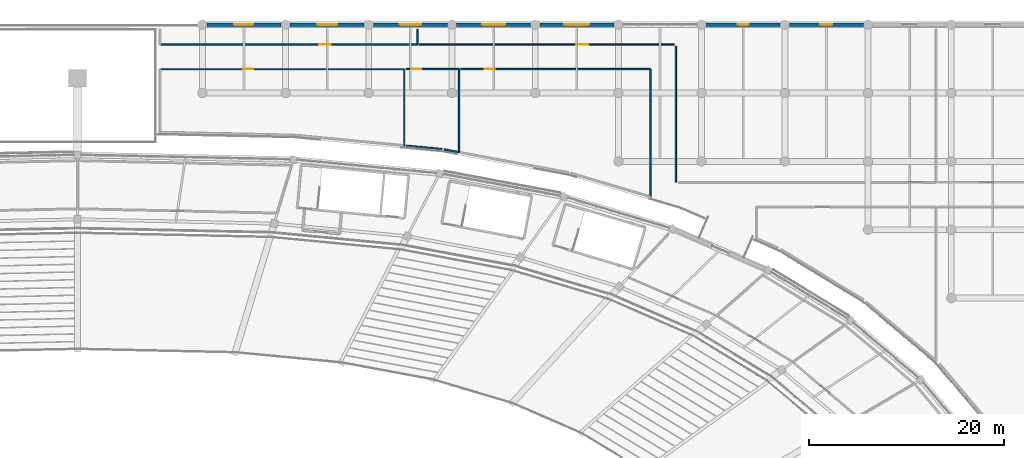
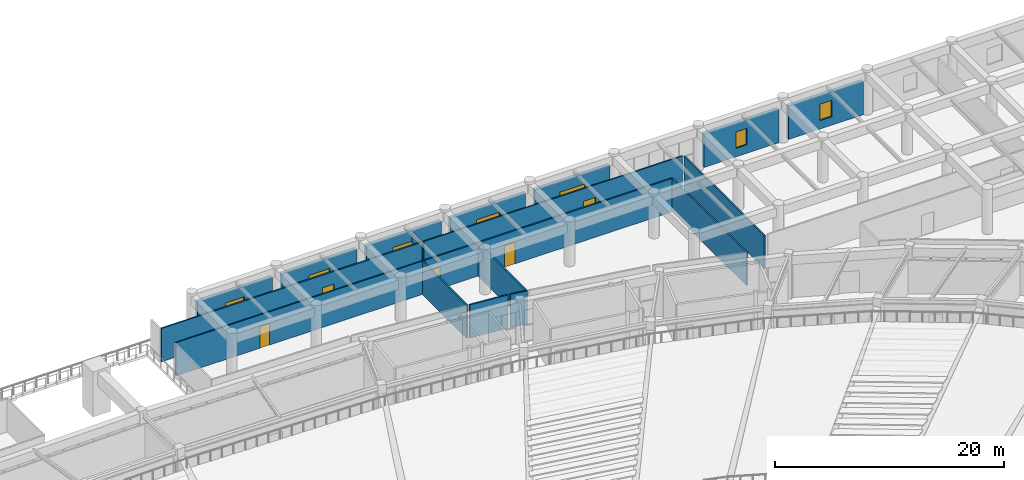
# One storey, part 107 of 137: 19 walls, 7 windows, 5 doors, 12 openings.
"""IFC4 building model written with IfcOpenShell, lengths in metres."""

from ifc_helpers import new_model, si_unit, direction, frame, frame_2d, origin, place, context, subcontext, project, spatial, rectangle, extrude, material, layer, layer_set, type_object, element, fill, save


model = new_model("IFC4")

# Units and contexts
model_context = context("Model", 3, precision=1e-05, world=origin(), true_north=direction((0.0, 1.0)))
body_context = subcontext(model_context, "Body", "Model", "MODEL_VIEW")
ifc_project = project(units=[si_unit("LENGTHUNIT", "METRE"), si_unit("AREAUNIT", "SQUARE_METRE"), si_unit("VOLUMEUNIT", "CUBIC_METRE"), si_unit("PLANEANGLEUNIT", "RADIAN"), si_unit("MASSUNIT", "GRAM", prefix="KILO")], contexts=[model_context])

# Site, building, storey
site_placement = place(None, origin())
site = spatial("IfcSite", under=ifc_project, at=site_placement, CompositionType="ELEMENT")
building_placement = place(site_placement, origin())
building = spatial("IfcBuilding", under=site, at=building_placement, Name="Mphavela Belvedere Stadium", CompositionType="ELEMENT")
storey_placement = place(building_placement, frame((0.0, 0.0, 19.199951171875)))
storey = spatial("IfcBuildingStorey", under=building, at=storey_placement, Name="L04", CompositionType="ELEMENT", Elevation=19.199951171875)

# Wall, opening, window
ifc_material_1 = material(Name="Honed ashlar limestone masonry", Category="masonry")
ifc_layer_1 = layer(ifc_material_1, 0.35009765625)
ifc_layer_set_1 = layer_set([ifc_layer_1], Name="Honed ashlar limestone masonry")
wall_type_1 = type_object("IfcWallType", Name="WAL-EXT-ASHLAR-350", PredefinedType="STANDARD", material=ifc_layer_set_1)
wall_1_placement = place(storey_placement, frame((128.2509765625, 174.0, 0.0), z_axis=(0.0, 0.0, 1.0), x_axis=(1.0, 0.0, 0.0)))
wall_1 = element("IfcWall", 1, at=wall_1_placement, inside=storey, type_object=wall_type_1, Name="North Mast and Ceremonial End Forecourt outer facade bay L04-16", PredefinedType="STANDARD", context=body_context, shape_type="SweptSolid", body=[
    extrude(rectangle(XDim=7.572021484375, YDim=0.35009765625, at=frame_2d((3.7861328125, 0.0))), origin(), (0.0, 0.0, 1.0), 3.56005859375),
])
opening_1_placement = place(wall_1_placement, frame((2.81591796875, 0.0, 0.89990234375)))
opening_1 = element("IfcOpeningElement", 2, at=opening_1_placement, cuts=wall_1, Name="Opening W-227", PredefinedType="OPENING", context=body_context, shape_type="SweptSolid", body=[
    extrude(rectangle(XDim=1.93994140625, YDim=1.550048828125, at=frame_2d((0.969970703125, 0.77490234375))), frame((0.0, 0.18505859375, 0.0), z_axis=(0.0, -1.0, 0.0), x_axis=(1.0, 0.0, 0.0)), (0.0, 0.0, 1.0), 0.3701171875),
])
ifc_material_2 = material(Name="Bronze-anodised thermally broken aluminium window", Category="aluminium")
window_type_1 = type_object("IfcWindowType", Name="WIN-EXT-07", PartitioningType="SINGLE_PANEL", PredefinedType="WINDOW", material=ifc_material_2)
window_1_placement = place(opening_1_placement, origin())
window_1 = element("IfcWindow", 3, at=window_1_placement, inside=storey, type_object=window_type_1, Name="North Mast and Ceremonial End Forecourt classical window W-227", OverallHeight=1.550048828125, OverallWidth=1.93994140625, PartitioningType="SINGLE_PANEL", PredefinedType="WINDOW", context=body_context, shape_type="SweptSolid", body=[
    extrude(rectangle(XDim=1.93994140625, YDim=1.550048828125, at=frame_2d((0.969970703125, 0.77490234375))), frame((0.0, 0.030029296875, 0.0), z_axis=(0.0, -1.0, 0.0), x_axis=(1.0, 0.0, 0.0)), (0.0, 0.0, 1.0), 0.06005859375),
])
fill(opening_1, window_1)

wall_2_placement = place(storey_placement, frame((136.76904296875, 174.0, 0.0), z_axis=(0.0, 0.0, 1.0), x_axis=(1.0, 0.0, 0.0)))
wall_2 = element("IfcWall", 4, at=wall_2_placement, inside=storey, type_object=wall_type_1, Name="North Mast and Ceremonial End Forecourt outer facade bay L04-17", PredefinedType="STANDARD", context=body_context, shape_type="SweptSolid", body=[
    extrude(rectangle(XDim=7.572998046875, YDim=0.35009765625, at=frame_2d((3.78662109375, 0.0))), origin(), (0.0, 0.0, 1.0), 3.56005859375),
])
opening_2_placement = place(wall_2_placement, frame((2.74658203125, 0.0, 0.89990234375)))
opening_2 = element("IfcOpeningElement", 5, at=opening_2_placement, cuts=wall_2, Name="Opening W-228", PredefinedType="OPENING", context=body_context, shape_type="SweptSolid", body=[
    extrude(rectangle(XDim=2.080078125, YDim=1.550048828125, at=frame_2d((1.0400390625, 0.77490234375))), frame((0.0, 0.18505859375, 0.0), z_axis=(0.0, -1.0, 0.0), x_axis=(1.0, 0.0, 0.0)), (0.0, 0.0, 1.0), 0.3701171875),
])
ifc_material_3 = material(Name="Bronze-anodised thermally broken aluminium window", Category="aluminium")
window_type_2 = type_object("IfcWindowType", Name="WIN-EXT-08", PartitioningType="SINGLE_PANEL", PredefinedType="WINDOW", material=ifc_material_3)
window_2_placement = place(opening_2_placement, origin())
window_2 = element("IfcWindow", 6, at=window_2_placement, inside=storey, type_object=window_type_2, Name="North Mast and Ceremonial End Forecourt classical window W-228", OverallHeight=1.550048828125, OverallWidth=2.080078125, PartitioningType="SINGLE_PANEL", PredefinedType="WINDOW", context=body_context, shape_type="SweptSolid", body=[
    extrude(rectangle(XDim=2.080078125, YDim=1.550048828125, at=frame_2d((1.0400390625, 0.77490234375))), frame((0.0, 0.030029296875, 0.0), z_axis=(0.0, -1.0, 0.0), x_axis=(1.0, 0.0, 0.0)), (0.0, 0.0, 1.0), 0.06005859375),
])
fill(opening_2, window_2)

wall_3_placement = place(storey_placement, frame((145.2880859375, 174.0, 0.0), z_axis=(0.0, 0.0, 1.0), x_axis=(1.0, 0.0, 0.0)))
wall_3 = element("IfcWall", 7, at=wall_3_placement, inside=storey, type_object=wall_type_1, Name="North Mast and Ceremonial End Forecourt outer facade bay L04-18", PredefinedType="STANDARD", context=body_context, shape_type="SweptSolid", body=[
    extrude(rectangle(XDim=7.572021484375, YDim=0.35009765625, at=frame_2d((3.7861328125, 0.0))), origin(), (0.0, 0.0, 1.0), 3.56005859375),
])
opening_3_placement = place(wall_3_placement, frame((2.676025390625, 0.0, 0.89990234375)))
opening_3 = element("IfcOpeningElement", 8, at=opening_3_placement, cuts=wall_3, Name="Opening W-229", PredefinedType="OPENING", context=body_context, shape_type="SweptSolid", body=[
    extrude(rectangle(XDim=2.219970703125, YDim=1.550048828125, at=frame_2d((1.10986328125, 0.77490234375))), frame((0.0, 0.18505859375, 0.0), z_axis=(0.0, -1.0, 0.0), x_axis=(1.0, 0.0, 0.0)), (0.0, 0.0, 1.0), 0.3701171875),
])
ifc_material_4 = material(Name="Bronze-anodised thermally broken aluminium window", Category="aluminium")
window_type_3 = type_object("IfcWindowType", Name="WIN-EXT-09", PartitioningType="SINGLE_PANEL", PredefinedType="WINDOW", material=ifc_material_4)
window_3_placement = place(opening_3_placement, origin())
window_3 = element("IfcWindow", 9, at=window_3_placement, inside=storey, type_object=window_type_3, Name="North Mast and Ceremonial End Forecourt classical window W-229", OverallHeight=1.550048828125, OverallWidth=2.219970703125, PartitioningType="SINGLE_PANEL", PredefinedType="WINDOW", context=body_context, shape_type="SweptSolid", body=[
    extrude(rectangle(XDim=2.219970703125, YDim=1.550048828125, at=frame_2d((1.10986328125, 0.77490234375))), frame((0.0, 0.030029296875, 0.0), z_axis=(0.0, -1.0, 0.0), x_axis=(1.0, 0.0, 0.0)), (0.0, 0.0, 1.0), 0.06005859375),
])
fill(opening_3, window_3)

wall_4_placement = place(storey_placement, frame((153.805908203125, 174.0, 0.0), z_axis=(0.0, 0.0, 1.0), x_axis=(1.0, 0.0, 0.0)))
wall_4 = element("IfcWall", 10, at=wall_4_placement, inside=storey, type_object=wall_type_1, Name="North Mast and Ceremonial End Forecourt outer facade bay L04-19", PredefinedType="STANDARD", context=body_context, shape_type="SweptSolid", body=[
    extrude(rectangle(XDim=7.572998046875, YDim=0.35009765625, at=frame_2d((3.78662109375, 0.0))), origin(), (0.0, 0.0, 1.0), 3.56005859375),
])
opening_4_placement = place(wall_4_placement, frame((2.6064453125, 0.0, 0.89990234375)))
opening_4 = element("IfcOpeningElement", 11, at=opening_4_placement, cuts=wall_4, Name="Opening W-230", PredefinedType="OPENING", context=body_context, shape_type="SweptSolid", body=[
    extrude(rectangle(XDim=2.360107421875, YDim=1.550048828125, at=frame_2d((1.18017578125, 0.77490234375))), frame((0.0, 0.18505859375, 0.0), z_axis=(0.0, -1.0, 0.0), x_axis=(1.0, 0.0, 0.0)), (0.0, 0.0, 1.0), 0.3701171875),
])
ifc_material_5 = material(Name="Bronze-anodised thermally broken aluminium window", Category="aluminium")
window_type_4 = type_object("IfcWindowType", Name="WIN-EXT-10", PartitioningType="SINGLE_PANEL", PredefinedType="WINDOW", material=ifc_material_5)
window_4_placement = place(opening_4_placement, origin())
window_4 = element("IfcWindow", 12, at=window_4_placement, inside=storey, type_object=window_type_4, Name="North Mast and Ceremonial End Forecourt classical window W-230", OverallHeight=1.550048828125, OverallWidth=2.360107421875, PartitioningType="SINGLE_PANEL", PredefinedType="WINDOW", context=body_context, shape_type="SweptSolid", body=[
    extrude(rectangle(XDim=2.360107421875, YDim=1.550048828125, at=frame_2d((1.18017578125, 0.77490234375))), frame((0.0, 0.030029296875, 0.0), z_axis=(0.0, -1.0, 0.0), x_axis=(1.0, 0.0, 0.0)), (0.0, 0.0, 1.0), 0.06005859375),
])
fill(opening_4, window_4)

wall_5_placement = place(storey_placement, frame((162.324951171875, 174.0, 0.0), z_axis=(0.0, 0.0, 1.0), x_axis=(1.0, 0.0, 0.0)))
wall_5 = element("IfcWall", 13, at=wall_5_placement, inside=storey, type_object=wall_type_1, Name="North Mast and Ceremonial End Forecourt outer facade bay L04-20", PredefinedType="STANDARD", context=body_context, shape_type="SweptSolid", body=[
    extrude(rectangle(XDim=7.572021484375, YDim=0.35009765625, at=frame_2d((3.7861328125, 0.0))), origin(), (0.0, 0.0, 1.0), 3.56005859375),
])
opening_5_placement = place(wall_5_placement, frame((2.52587890625, 0.0, 0.89990234375)))
opening_5 = element("IfcOpeningElement", 14, at=opening_5_placement, cuts=wall_5, Name="Opening W-231", PredefinedType="OPENING", context=body_context, shape_type="SweptSolid", body=[
    extrude(rectangle(XDim=2.52001953125, YDim=1.550048828125, at=frame_2d((1.260009765625, 0.77490234375))), frame((0.0, 0.18505859375, 0.0), z_axis=(0.0, -1.0, 0.0), x_axis=(1.0, 0.0, 0.0)), (0.0, 0.0, 1.0), 0.3701171875),
])
ifc_material_6 = material(Name="Bronze-anodised thermally broken aluminium window", Category="aluminium")
window_type_5 = type_object("IfcWindowType", Name="WIN-EXT-11", PartitioningType="SINGLE_PANEL", PredefinedType="WINDOW", material=ifc_material_6)
window_5_placement = place(opening_5_placement, origin())
window_5 = element("IfcWindow", 15, at=window_5_placement, inside=storey, type_object=window_type_5, Name="North Mast and Ceremonial End Forecourt classical window W-231", OverallHeight=1.550048828125, OverallWidth=2.52001953125, PartitioningType="SINGLE_PANEL", PredefinedType="WINDOW", context=body_context, shape_type="SweptSolid", body=[
    extrude(rectangle(XDim=2.52001953125, YDim=1.550048828125, at=frame_2d((1.260009765625, 0.77490234375))), frame((0.0, 0.030029296875, 0.0), z_axis=(0.0, -1.0, 0.0), x_axis=(1.0, 0.0, 0.0)), (0.0, 0.0, 1.0), 0.06005859375),
])
fill(opening_5, window_5)

wall_6_placement = place(storey_placement, frame((179.362060546875, 174.0, 0.0), z_axis=(0.0, 0.0, 1.0), x_axis=(1.0, 0.0, 0.0)))
wall_6 = element("IfcWall", 16, at=wall_6_placement, inside=storey, type_object=wall_type_1, Name="North Mast and Ceremonial End Forecourt outer facade bay L04-22", PredefinedType="STANDARD", context=body_context, shape_type="SweptSolid", body=[
    extrude(rectangle(XDim=7.572021484375, YDim=0.35009765625, at=frame_2d((3.7861328125, 0.0))), origin(), (0.0, 0.0, 1.0), 3.56005859375),
])
opening_6_placement = place(wall_6_placement, frame((3.236083984375, 0.0, 0.89990234375)))
opening_6 = element("IfcOpeningElement", 17, at=opening_6_placement, cuts=wall_6, Name="Opening W-232", PredefinedType="OPENING", context=body_context, shape_type="SweptSolid", body=[
    extrude(rectangle(XDim=1.10009765625, YDim=1.75, at=frame_2d((0.550048828125, 0.875))), frame((0.0, 0.18505859375, 0.0), z_axis=(0.0, -1.0, 0.0), x_axis=(1.0, 0.0, 0.0)), (0.0, 0.0, 1.0), 0.3701171875),
])
ifc_material_7 = material(Name="Bronze-anodised thermally broken aluminium window", Category="aluminium")
window_type_6 = type_object("IfcWindowType", Name="WIN-EXT-12", PartitioningType="SINGLE_PANEL", PredefinedType="WINDOW", material=ifc_material_7)
window_6_placement = place(opening_6_placement, origin())
window_6 = element("IfcWindow", 18, at=window_6_placement, inside=storey, type_object=window_type_6, Name="North Mast and Ceremonial End Forecourt classical window W-232", OverallHeight=1.75, OverallWidth=1.10009765625, PartitioningType="SINGLE_PANEL", PredefinedType="WINDOW", context=body_context, shape_type="SweptSolid", body=[
    extrude(rectangle(XDim=1.10009765625, YDim=1.75, at=frame_2d((0.550048828125, 0.875))), frame((0.0, 0.030029296875, 0.0), z_axis=(0.0, -1.0, 0.0), x_axis=(1.0, 0.0, 0.0)), (0.0, 0.0, 1.0), 0.06005859375),
])
fill(opening_6, window_6)

wall_7_placement = place(storey_placement, frame((187.8798828125, 174.0, 0.0), z_axis=(0.0, 0.0, 1.0), x_axis=(1.0, 0.0, 0.0)))
wall_7 = element("IfcWall", 19, at=wall_7_placement, inside=storey, type_object=wall_type_1, Name="North Mast and Ceremonial End Forecourt outer facade bay L04-23", PredefinedType="STANDARD", context=body_context, shape_type="SweptSolid", body=[
    extrude(rectangle(XDim=7.572998046875, YDim=0.35009765625, at=frame_2d((3.78662109375, 0.0))), origin(), (0.0, 0.0, 1.0), 3.56005859375),
])
opening_7_placement = place(wall_7_placement, frame((3.16650390625, 0.0, 0.89990234375)))
opening_7 = element("IfcOpeningElement", 20, at=opening_7_placement, cuts=wall_7, Name="Opening W-233", PredefinedType="OPENING", context=body_context, shape_type="SweptSolid", body=[
    extrude(rectangle(XDim=1.239990234375, YDim=1.75, at=frame_2d((0.6201171875, 0.875))), frame((0.0, 0.18505859375, 0.0), z_axis=(0.0, -1.0, 0.0), x_axis=(1.0, 0.0, 0.0)), (0.0, 0.0, 1.0), 0.3701171875),
])
ifc_material_8 = material(Name="Bronze-anodised thermally broken aluminium window", Category="aluminium")
window_type_7 = type_object("IfcWindowType", Name="WIN-EXT-13", PartitioningType="SINGLE_PANEL", PredefinedType="WINDOW", material=ifc_material_8)
window_7_placement = place(opening_7_placement, origin())
window_7 = element("IfcWindow", 21, at=window_7_placement, inside=storey, type_object=window_type_7, Name="North Mast and Ceremonial End Forecourt classical window W-233", OverallHeight=1.75, OverallWidth=1.239990234375, PartitioningType="SINGLE_PANEL", PredefinedType="WINDOW", context=body_context, shape_type="SweptSolid", body=[
    extrude(rectangle(XDim=1.239990234375, YDim=1.75, at=frame_2d((0.6201171875, 0.875))), frame((0.0, 0.030029296875, 0.0), z_axis=(0.0, -1.0, 0.0), x_axis=(1.0, 0.0, 0.0)), (0.0, 0.0, 1.0), 0.06005859375),
])
fill(opening_7, window_7)

# Wall, opening, door
ifc_material_9 = material(Name="Moisture-resistant sanitary partition assembly")
ifc_layer_2 = layer(ifc_material_9, 0.125)
ifc_layer_set_2 = layer_set([ifc_layer_2], Name="Moisture-resistant sanitary partition assembly")
wall_type_2 = type_object("IfcWallType", Name="WAL-PART-125", PredefinedType="PARTITIONING", material=ifc_layer_set_2)
wall_8_placement = place(storey_placement, frame((176.10009765625, 171.9599609375, 0.0), z_axis=(0.0, 0.0, 1.0), x_axis=(-1.0, 0.0, 0.0)))
wall_8 = element("IfcWall", 22, at=wall_8_placement, inside=storey, type_object=wall_type_2, Name="Room L04-120 corridor partition", PredefinedType="PARTITIONING", context=body_context, shape_type="SweptSolid", body=[
    extrude(rectangle(XDim=26.10009765625, YDim=0.125, at=frame_2d((13.050048828125, 0.0))), origin(), (0.0, 0.0, 1.0), 3.550048828125),
])
opening_8_placement = place(wall_8_placement, frame((8.803955078125, 0.0, 0.0)))
opening_8 = element("IfcOpeningElement", 23, at=opening_8_placement, cuts=wall_8, Name="Opening ID-489", PredefinedType="OPENING", context=body_context, shape_type="SweptSolid", body=[
    extrude(rectangle(XDim=1.219970703125, YDim=2.199951171875, at=frame_2d((0.60986328125, 1.10009765625))), frame((0.0, 0.072509765625, 0.0), z_axis=(0.0, -1.0, 0.0), x_axis=(1.0, 0.0, 0.0)), (0.0, 0.0, 1.0), 0.14501953125),
])
ifc_material_10 = material(Name="Hardwood acoustic timber doorset", Category="wood")
door_type_1 = type_object("IfcDoorType", Name="DR-INT-21", OperationType="NOTDEFINED", PredefinedType="DOOR", material=ifc_material_10)
door_1_placement = place(opening_8_placement, origin())
door_1 = element("IfcDoor", 24, at=door_1_placement, inside=storey, type_object=door_type_1, Name="Room L04-120 entrance door ID-489", OperationType="SINGLE_SWING_LEFT", OverallHeight=2.199951171875, OverallWidth=1.219970703125, PredefinedType="DOOR", context=body_context, shape_type="SweptSolid", body=[
    extrude(rectangle(XDim=1.219970703125, YDim=2.199951171875, at=frame_2d((0.60986328125, 1.10009765625))), frame((0.0, 0.02490234375, 0.0), z_axis=(0.0, -1.0, 0.0), x_axis=(1.0, 0.0, 0.0)), (0.0, 0.0, 1.0), 0.050048828125),
])
fill(opening_8, door_1)

wall_9_placement = place(storey_placement, frame((123.5, 169.43994140625, 0.0), z_axis=(0.0, 0.0, 1.0), x_axis=(1.0, 0.0, 0.0)))
wall_9 = element("IfcWall", 25, at=wall_9_placement, inside=storey, type_object=wall_type_2, Name="Room L04-126 corridor partition", PredefinedType="PARTITIONING", context=body_context, shape_type="SweptSolid", body=[
    extrude(rectangle(XDim=24.945068359375, YDim=0.125, at=frame_2d((12.47265625, 0.0))), origin(), (0.0, 0.0, 1.0), 3.550048828125),
])
opening_9_placement = place(wall_9_placement, frame((8.483642578125, 0.0, 0.0)))
opening_9 = element("IfcOpeningElement", 26, at=opening_9_placement, cuts=wall_9, Name="Opening ID-495", PredefinedType="OPENING", context=body_context, shape_type="SweptSolid", body=[
    extrude(rectangle(XDim=0.97998046875, YDim=2.300048828125, at=frame_2d((0.489990234375, 1.14990234375))), frame((0.0, 0.072509765625, 0.0), z_axis=(0.0, -1.0, 0.0), x_axis=(1.0, 0.0, 0.0)), (0.0, 0.0, 1.0), 0.14501953125),
])
ifc_material_11 = material(Name="Hardwood acoustic timber doorset", Category="wood")
door_type_2 = type_object("IfcDoorType", Name="DR-INT-27", OperationType="NOTDEFINED", PredefinedType="DOOR", material=ifc_material_11)
door_2_placement = place(opening_9_placement, origin())
door_2 = element("IfcDoor", 27, at=door_2_placement, inside=storey, type_object=door_type_2, Name="Room L04-126 entrance door ID-495", OperationType="SINGLE_SWING_LEFT", OverallHeight=2.300048828125, OverallWidth=0.97998046875, PredefinedType="DOOR", context=body_context, shape_type="SweptSolid", body=[
    extrude(rectangle(XDim=0.97998046875, YDim=2.300048828125, at=frame_2d((0.489990234375, 1.14990234375))), frame((0.0, 0.02490234375, 0.0), z_axis=(0.0, -1.0, 0.0), x_axis=(1.0, 0.0, 0.0)), (0.0, 0.0, 1.0), 0.050048828125),
])
fill(opening_9, door_2)

ifc_material_12 = material(Name="Acoustic gypsum stud partition assembly")
ifc_layer_3 = layer(ifc_material_12, 0.14990234375)
ifc_layer_set_3 = layer_set([ifc_layer_3], Name="Acoustic gypsum stud partition assembly")
wall_type_3 = type_object("IfcWallType", Name="WAL-PART-150", PredefinedType="PARTITIONING", material=ifc_layer_set_3)
wall_10_placement = place(storey_placement, frame((149.800048828125, 171.9599609375, 0.0), z_axis=(0.0, 0.0, 1.0), x_axis=(-1.0, 0.0, 0.0)))
wall_10 = element("IfcWall", 28, at=wall_10_placement, inside=storey, type_object=wall_type_3, Name="Room L04-119 corridor partition", PredefinedType="PARTITIONING", context=body_context, shape_type="SweptSolid", body=[
    extrude(rectangle(XDim=26.300048828125, YDim=0.14990234375, at=frame_2d((13.14990234375, 0.0))), origin(), (0.0, 0.0, 1.0), 3.550048828125),
])
opening_10_placement = place(wall_10_placement, frame((8.887939453125, 0.0, 0.0)))
opening_10 = element("IfcOpeningElement", 29, at=opening_10_placement, cuts=wall_10, Name="Opening ID-488", PredefinedType="OPENING", context=body_context, shape_type="SweptSolid", body=[
    extrude(rectangle(XDim=1.179931640625, YDim=2.199951171875, at=frame_2d((0.58984375, 1.10009765625))), frame((0.0, 0.0849609375, 0.0), z_axis=(0.0, -1.0, 0.0), x_axis=(1.0, 0.0, 0.0)), (0.0, 0.0, 1.0), 0.169921875),
])
ifc_material_13 = material(Name="Hardwood acoustic timber doorset", Category="wood")
door_type_3 = type_object("IfcDoorType", Name="DR-INT-20", OperationType="NOTDEFINED", PredefinedType="DOOR", material=ifc_material_13)
door_3_placement = place(opening_10_placement, origin())
door_3 = element("IfcDoor", 30, at=door_3_placement, inside=storey, type_object=door_type_3, Name="Room L04-119 entrance door ID-488", OperationType="SINGLE_SWING_RIGHT", OverallHeight=2.199951171875, OverallWidth=1.179931640625, PredefinedType="DOOR", context=body_context, shape_type="SweptSolid", body=[
    extrude(rectangle(XDim=1.179931640625, YDim=2.199951171875, at=frame_2d((0.58984375, 1.10009765625))), frame((0.0, 0.02490234375, 0.0), z_axis=(0.0, -1.0, 0.0), x_axis=(1.0, 0.0, 0.0)), (0.0, 0.0, 1.0), 0.050048828125),
])
fill(opening_10, door_3)

wall_11_placement = place(storey_placement, frame((148.64501953125, 169.43994140625, 0.0), z_axis=(0.0, 0.0, 1.0), x_axis=(1.0, 0.0, 0.0)))
wall_11 = element("IfcWall", 31, at=wall_11_placement, inside=storey, type_object=wall_type_3, Name="Room L04-127 corridor partition", PredefinedType="PARTITIONING", context=body_context, shape_type="SweptSolid", body=[
    extrude(rectangle(XDim=5.419921875, YDim=0.14990234375, at=frame_2d((2.7099609375, 0.0))), origin(), (0.0, 0.0, 1.0), 3.550048828125),
])
opening_11_placement = place(wall_11_placement, frame((0.508056640625, 0.0, 0.0)))
opening_11 = element("IfcOpeningElement", 32, at=opening_11_placement, cuts=wall_11, Name="Opening ID-496", PredefinedType="OPENING", context=body_context, shape_type="SweptSolid", body=[
    extrude(rectangle(XDim=1.02001953125, YDim=2.300048828125, at=frame_2d((0.510009765625, 1.14990234375))), frame((0.0, 0.0849609375, 0.0), z_axis=(0.0, -1.0, 0.0), x_axis=(1.0, 0.0, 0.0)), (0.0, 0.0, 1.0), 0.169921875),
])
ifc_material_14 = material(Name="Hardwood acoustic timber doorset", Category="wood")
door_type_4 = type_object("IfcDoorType", Name="DR-INT-28", OperationType="NOTDEFINED", PredefinedType="DOOR", material=ifc_material_14)
door_4_placement = place(opening_11_placement, origin())
door_4 = element("IfcDoor", 33, at=door_4_placement, inside=storey, type_object=door_type_4, Name="Room L04-127 entrance door ID-496", OperationType="SINGLE_SWING_RIGHT", OverallHeight=2.300048828125, OverallWidth=1.02001953125, PredefinedType="DOOR", context=body_context, shape_type="SweptSolid", body=[
    extrude(rectangle(XDim=1.02001953125, YDim=2.300048828125, at=frame_2d((0.510009765625, 1.14990234375))), frame((0.0, 0.02490234375, 0.0), z_axis=(0.0, -1.0, 0.0), x_axis=(1.0, 0.0, 0.0)), (0.0, 0.0, 1.0), 0.050048828125),
])
fill(opening_11, door_4)

wall_12_placement = place(storey_placement, frame((154.22509765625, 169.43994140625, 0.0), z_axis=(0.0, 0.0, 1.0), x_axis=(1.0, 0.0, 0.0)))
wall_12 = element("IfcWall", 34, at=wall_12_placement, inside=storey, type_object=wall_type_3, Name="Room L04-128 corridor partition", PredefinedType="PARTITIONING", context=body_context, shape_type="SweptSolid", body=[
    extrude(rectangle(XDim=19.414794921875, YDim=0.14990234375, at=frame_2d((9.70751953125, 0.0))), origin(), (0.0, 0.0, 1.0), 3.550048828125),
])
opening_12_placement = place(wall_12_placement, frame((2.44580078125, 0.0, 0.0)))
opening_12 = element("IfcOpeningElement", 35, at=opening_12_placement, cuts=wall_12, Name="Opening ID-497", PredefinedType="OPENING", context=body_context, shape_type="SweptSolid", body=[
    extrude(rectangle(XDim=1.06005859375, YDim=2.300048828125, at=frame_2d((0.530029296875, 1.14990234375))), frame((0.0, 0.0849609375, 0.0), z_axis=(0.0, -1.0, 0.0), x_axis=(1.0, 0.0, 0.0)), (0.0, 0.0, 1.0), 0.169921875),
])
ifc_material_15 = material(Name="Hardwood acoustic timber doorset", Category="wood")
door_type_5 = type_object("IfcDoorType", Name="DR-INT-29", OperationType="NOTDEFINED", PredefinedType="DOOR", material=ifc_material_15)
door_5_placement = place(opening_12_placement, origin())
door_5 = element("IfcDoor", 36, at=door_5_placement, inside=storey, type_object=door_type_5, Name="Room L04-128 entrance door ID-497", OperationType="SINGLE_SWING_LEFT", OverallHeight=2.300048828125, OverallWidth=1.06005859375, PredefinedType="DOOR", context=body_context, shape_type="SweptSolid", body=[
    extrude(rectangle(XDim=1.06005859375, YDim=2.300048828125, at=frame_2d((0.530029296875, 1.14990234375))), frame((0.0, 0.02490234375, 0.0), z_axis=(0.0, -1.0, 0.0), x_axis=(1.0, 0.0, 0.0)), (0.0, 0.0, 1.0), 0.050048828125),
])
fill(opening_12, door_5)

# Walls
wall_13_placement = place(storey_placement, frame((149.800048828125, 173.550048828125, 0.0), z_axis=(0.0, 0.0, 1.0), x_axis=(0.0, -1.0, 0.0)))
element("IfcWall", 37, at=wall_13_placement, inside=storey, type_object=wall_type_3, Name="Room divider partition L04-1102", PredefinedType="PARTITIONING", context=body_context, shape_type="SweptSolid", body=[
    extrude(rectangle(XDim=1.590087890625, YDim=0.14990234375, at=frame_2d((0.794921875, 0.0))), origin(), (0.0, 0.0, 1.0), 3.550048828125),
])
wall_14_placement = place(storey_placement, frame((176.260009765625, 157.860107421875, 0.0), z_axis=(0.0, 0.0, 1.0), x_axis=(0.0, 1.0, 0.0)))
element("IfcWall", 38, at=wall_14_placement, inside=storey, type_object=wall_type_3, Name="Room divider partition L04-1103", PredefinedType="PARTITIONING", context=body_context, shape_type="SweptSolid", body=[
    extrude(rectangle(XDim=13.93994140625, YDim=0.14990234375, at=frame_2d((6.969970703125, 0.0))), origin(), (0.0, 0.0, 1.0), 3.550048828125),
])
wall_15_placement = place(storey_placement, frame((148.445068359375, 169.43994140625, 0.0), z_axis=(0.0, 0.0, 1.0), x_axis=(0.0, -1.0, 0.0)))
element("IfcWall", 39, at=wall_15_placement, inside=storey, type_object=wall_type_3, Name="Room divider partition L04-1126", PredefinedType="PARTITIONING", context=body_context, shape_type="SweptSolid", body=[
    extrude(rectangle(XDim=7.815185546875, YDim=0.14990234375, at=frame_2d((3.90771484375, 0.0))), origin(), (0.0, 0.0, 1.0), 3.550048828125),
])
wall_16_placement = place(storey_placement, frame((152.31005859375, 161.256103515625, 0.0), z_axis=(0.0, 0.0, 1.0), x_axis=(-0.995481155674, 0.094959300221, 0.0)))
element("IfcWall", 40, at=wall_16_placement, inside=storey, type_object=wall_type_3, Name="Room divider partition L04-1128", PredefinedType="PARTITIONING", context=body_context, shape_type="SweptSolid", body=[
    extrude(rectangle(XDim=3.681640625, YDim=0.14990234375, at=frame_2d((1.8408203125, 0.0))), origin(), (0.0, 0.0, 1.0), 3.550048828125),
])
wall_17_placement = place(storey_placement, frame((154.06494140625, 169.43994140625, 0.0), z_axis=(0.0, 0.0, 1.0), x_axis=(0.0, -1.0, 0.0)))
element("IfcWall", 41, at=wall_17_placement, inside=storey, type_object=wall_type_3, Name="Room divider partition L04-1129", PredefinedType="PARTITIONING", context=body_context, shape_type="SweptSolid", body=[
    extrude(rectangle(XDim=8.50048828125, YDim=0.14990234375, at=frame_2d((4.250244140625, 0.0))), origin(), (0.0, 0.0, 1.0), 3.550048828125),
])
wall_18_placement = place(storey_placement, frame((154.06494140625, 160.939453125, 0.0), z_axis=(0.0, 0.0, 1.0), x_axis=(-0.983110419565, 0.183013395528, 0.0)))
element("IfcWall", 42, at=wall_18_placement, inside=storey, type_object=wall_type_3, Name="Room divider partition L04-1130", PredefinedType="PARTITIONING", context=body_context, shape_type="SweptSolid", body=[
    extrude(rectangle(XDim=1.560791015625, YDim=0.14990234375, at=frame_2d((0.7802734375, 0.0))), origin(), (0.0, 0.0, 1.0), 3.550048828125),
])
wall_19_placement = place(storey_placement, frame((173.639892578125, 169.43994140625, 0.0), z_axis=(0.0, 0.0, 1.0), x_axis=(0.0, -1.0, 0.0)))
element("IfcWall", 43, at=wall_19_placement, inside=storey, type_object=wall_type_3, Name="Room divider partition L04-1131", PredefinedType="PARTITIONING", context=body_context, shape_type="SweptSolid", body=[
    extrude(rectangle(XDim=13.058837890625, YDim=0.14990234375, at=frame_2d((6.529296875, 0.0))), origin(), (0.0, 0.0, 1.0), 3.550048828125),
])

save(model, "model.ifc")
